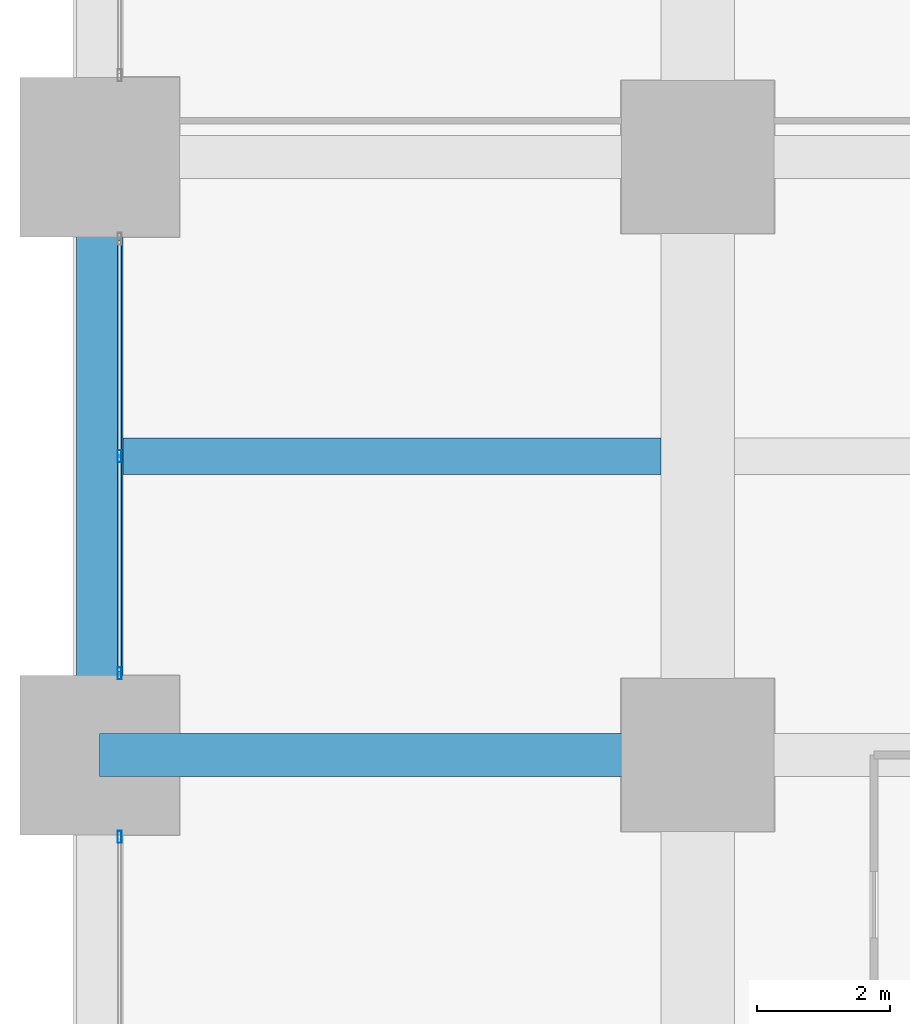
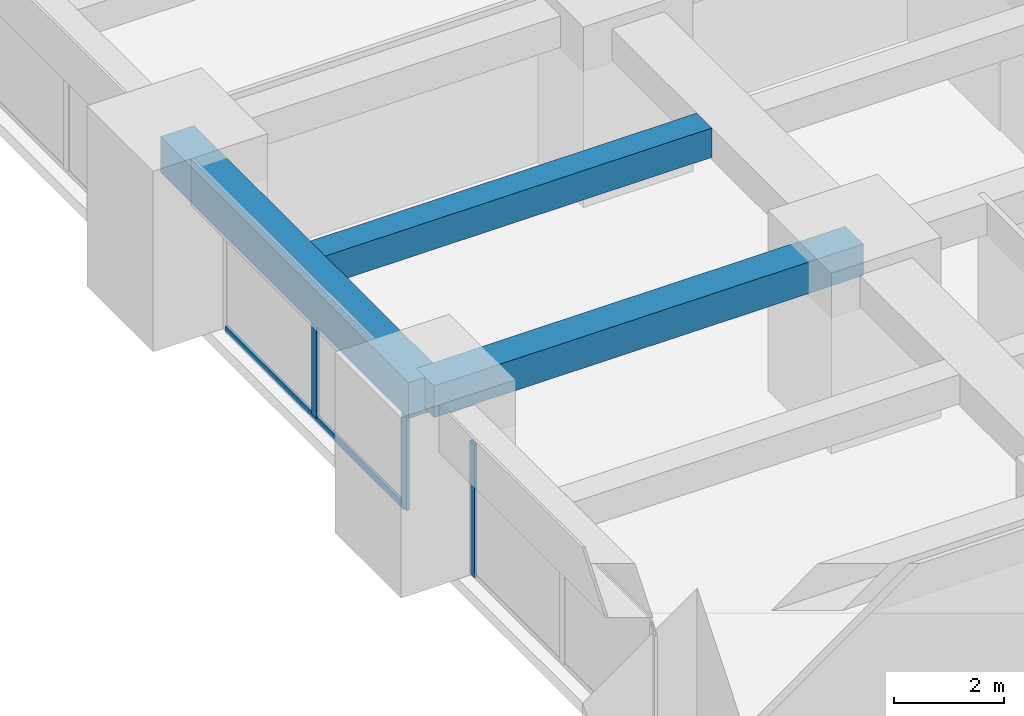
# One storey, part 11 of 45: 4 members, 3 beams, 2 elements without a shape of their own.
"""IFC4 building model written with IfcOpenShell, lengths in metres."""

from ifc_helpers import new_model, si_unit, direction, frame, origin, origin_2d, place, context, subcontext, project, spatial, rectangle, hollow_rectangle, extrude, material, material_profile, profile_set, type_object, element, aggregate, save


model = new_model("IFC4")

# Units and contexts
model_context = context("Model", 3, precision=1e-05, world=origin(), true_north=direction((0.0, 1.0)))
body_context = subcontext(model_context, "Body", "Model", "MODEL_VIEW")
ifc_project = project(units=[si_unit("LENGTHUNIT", "METRE"), si_unit("AREAUNIT", "SQUARE_METRE"), si_unit("VOLUMEUNIT", "CUBIC_METRE"), si_unit("PLANEANGLEUNIT", "RADIAN"), si_unit("MASSUNIT", "GRAM", prefix="KILO")], contexts=[model_context])

# Site, building, storey
site_placement = place(None, origin())
site = spatial("IfcSite", under=ifc_project, at=site_placement, CompositionType="ELEMENT")
building_placement = place(site_placement, origin())
building = spatial("IfcBuilding", under=site, at=building_placement, Name="Zorevar Civic Tower", CompositionType="ELEMENT")
storey_placement = place(building_placement, frame((0.0, 0.0, 23.800048828125)))
storey = spatial("IfcBuildingStorey", under=building, at=storey_placement, Name="L05", CompositionType="ELEMENT", Elevation=23.800048828125)

# Beams
ifc_material_1 = material(Name="Concrete C50/60", Category="concrete")
ifc_material_profile_1 = material_profile(ifc_material_1, rectangle(XDim=0.550048828125, YDim=0.64990234375, at=origin_2d()), Name="RC 550x650")
ifc_profile_set_1 = profile_set([ifc_material_profile_1], Name="Concrete C50/60")
beam_type_1 = type_object("IfcBeamType", Name="Beam RC 550x650", PredefinedType="BEAM", material=ifc_profile_set_1)
beam_1_placement = place(storey_placement, frame((0.35009765625, 31.5, 3.425048828125), z_axis=(1.0, 0.0, 0.0), x_axis=(0.0, 1.0, 0.0)))
element("IfcBeam", 1, at=beam_1_placement, inside=storey, type_object=beam_type_1, Name="Secondary beam L06", PredefinedType="BEAM", context=body_context, shape_type="SweptSolid", body=[
    extrude(rectangle(XDim=0.550048828125, YDim=0.64990234375, at=origin_2d()), origin(), (0.0, 0.0, 1.0), 8.099853515625),
])
ifc_material_2 = material(Name="Concrete C50/60", Category="concrete")
ifc_material_profile_2 = material_profile(ifc_material_2, rectangle(XDim=0.64990234375, YDim=0.699951171875, at=origin_2d()), Name="RC 650x700")
ifc_profile_set_2 = profile_set([ifc_material_profile_2], Name="Concrete C50/60")
beam_type_2 = type_object("IfcBeamType", Name="Beam RC 650x700", PredefinedType="BEAM", material=ifc_profile_set_2)
beam_2_placement = place(storey_placement, frame((0.0, 27.0, 3.39990234375), z_axis=(1.0, 0.0, 0.0), x_axis=(0.0, 1.0, 0.0)))
element("IfcBeam", 2, at=beam_2_placement, inside=storey, type_object=beam_type_2, Name="Girder L06", PredefinedType="BEAM", context=body_context, shape_type="SweptSolid", body=[
    extrude(rectangle(XDim=0.64990234375, YDim=0.699951171875, at=origin_2d()), origin(), (0.0, 0.0, 1.0), 9.0),
])

# Curtain wall, member
ifc_material_3 = material(Name="Dark grey solar-control glass in black aluminium frame", Category="aluminium")
curtain_wall_type = type_object("IfcCurtainWallType", Name="Curtain wall CW2 low zone", PredefinedType="NOTDEFINED", material=ifc_material_3)
curtain_wall_1_placement = place(storey_placement, origin())
curtain_wall_1 = element("IfcCurtainWall", 3, at=curtain_wall_1_placement, inside=storey, type_object=curtain_wall_type, Name="CW2 L05", PredefinedType="NOTDEFINED")
ifc_material_4 = material(Name="Aluminium, black anodised", Category="aluminium")
ifc_material_profile_3 = material_profile(ifc_material_4, hollow_rectangle(XDim=0.06005859375, YDim=0.179931640625, WallThickness=0.00390625, at=origin_2d()), Name="AL 180x60x4")
ifc_profile_set_3 = profile_set([ifc_material_profile_3], Name="Aluminium, black anodised")
member_type_1 = type_object("IfcMemberType", Name="CW2 mullion AL 180x60x4", PredefinedType="MULLION", material=ifc_profile_set_3)
member_1_placement = place(storey_placement, frame((0.300048828125, 25.77001953125, 0.0), z_axis=(0.0, 0.0, 1.0), x_axis=(-1.0, 0.0, 0.0)))
member_1 = element("IfcMember", 4, at=member_1_placement, type_object=member_type_1, Name="CW2 mullion 3", PredefinedType="MULLION", context=body_context, shape_type="SweptSolid", body=[
    extrude(hollow_rectangle(XDim=0.06005859375, YDim=0.179931640625, WallThickness=0.00390625, at=origin_2d()), origin(), (0.0, 0.0, 1.0), 2.949951171875),
])
aggregate(curtain_wall_1, [member_1])

# Curtain wall, members
curtain_wall_2_placement = place(storey_placement, origin())
curtain_wall_2 = element("IfcCurtainWall", 5, at=curtain_wall_2_placement, inside=storey, type_object=curtain_wall_type, Name="CW2 L05", PredefinedType="NOTDEFINED")
member_2_placement = place(storey_placement, frame((0.300048828125, 28.22998046875, 0.0), z_axis=(0.0, 0.0, 1.0), x_axis=(-1.0, 0.0, 0.0)))
member_2 = element("IfcMember", 6, at=member_2_placement, type_object=member_type_1, Name="CW2 mullion 1", PredefinedType="MULLION", context=body_context, shape_type="SweptSolid", body=[
    extrude(hollow_rectangle(XDim=0.06005859375, YDim=0.179931640625, WallThickness=0.00390625, at=origin_2d()), origin(), (0.0, 0.0, 1.0), 2.949951171875),
])
member_3_placement = place(storey_placement, frame((0.300048828125, 31.5, 0.06005859375), z_axis=(0.0, 0.0, 1.0), x_axis=(-1.0, 0.0, 0.0)))
member_3 = element("IfcMember", 7, at=member_3_placement, type_object=member_type_1, Name="CW2 mullion 2", PredefinedType="MULLION", context=body_context, shape_type="SweptSolid", body=[
    extrude(hollow_rectangle(XDim=0.06005859375, YDim=0.179931640625, WallThickness=0.00390625, at=origin_2d()), origin(), (0.0, 0.0, 1.0), 2.889892578125),
])
ifc_material_5 = material(Name="Aluminium, black anodised", Category="aluminium")
ifc_material_profile_4 = material_profile(ifc_material_5, hollow_rectangle(XDim=0.06005859375, YDim=0.14990234375, WallThickness=0.00390625, at=origin_2d()), Name="AL 150x60x4")
ifc_profile_set_4 = profile_set([ifc_material_profile_4], Name="Aluminium, black anodised")
member_type_2 = type_object("IfcMemberType", Name="CW2 transom AL 150x60x4", PredefinedType="USERDEFINED", material=ifc_profile_set_4)
member_4_placement = place(storey_placement, frame((0.300048828125, 28.260009765625, 0.030029296875), z_axis=(0.0, 1.0, 0.0), x_axis=(-1.0, 0.0, 0.0)))
member_4 = element("IfcMember", 8, at=member_4_placement, type_object=member_type_2, Name="CW2 sill transom", ObjectType="TRANSOM", PredefinedType="USERDEFINED", context=body_context, shape_type="SweptSolid", body=[
    extrude(hollow_rectangle(XDim=0.06005859375, YDim=0.14990234375, WallThickness=0.00390625, at=origin_2d()), origin(), (0.0, 0.0, 1.0), 6.47998046875),
])
aggregate(curtain_wall_2, [member_2, member_3, member_4])

# Beam
ifc_material_6 = material(Name="Concrete C50/60", Category="concrete")
ifc_material_profile_5 = material_profile(ifc_material_6, rectangle(XDim=0.699951171875, YDim=0.800048828125, at=origin_2d()), Name="RC 700x800")
ifc_profile_set_5 = profile_set([ifc_material_profile_5], Name="Concrete C50/60")
beam_type_3 = type_object("IfcBeamType", Name="Edge beam RC 700x800", PredefinedType="SPANDREL", material=ifc_profile_set_5)
beam_3_placement = place(storey_placement, frame((0.0, 27.0, 3.349853515625), z_axis=(0.0, 1.0, 0.0), x_axis=(-1.0, 0.0, 0.0)))
element("IfcBeam", 9, at=beam_3_placement, inside=storey, type_object=beam_type_3, Name="Edge beam L06", PredefinedType="SPANDREL", context=body_context, shape_type="SweptSolid", body=[
    extrude(rectangle(XDim=0.699951171875, YDim=0.800048828125, at=origin_2d()), origin(), (0.0, 0.0, 1.0), 9.0),
])

save(model, "model.ifc")
